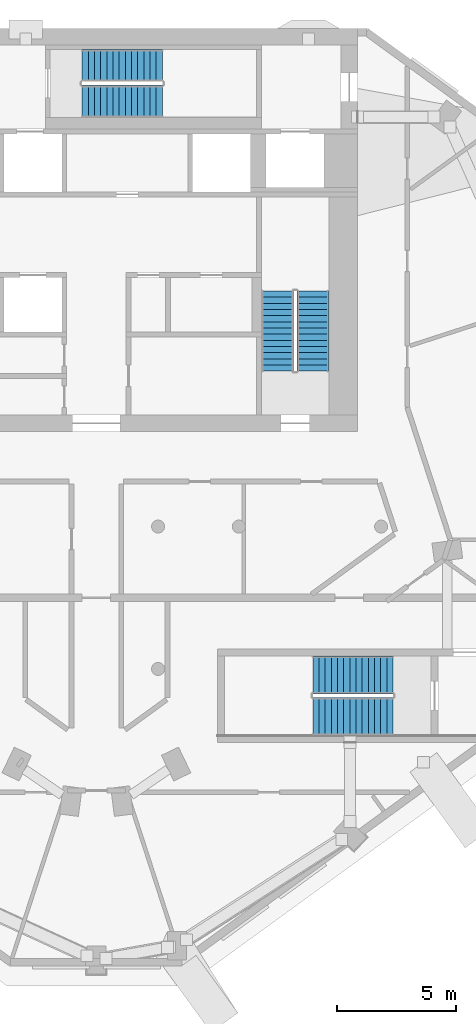
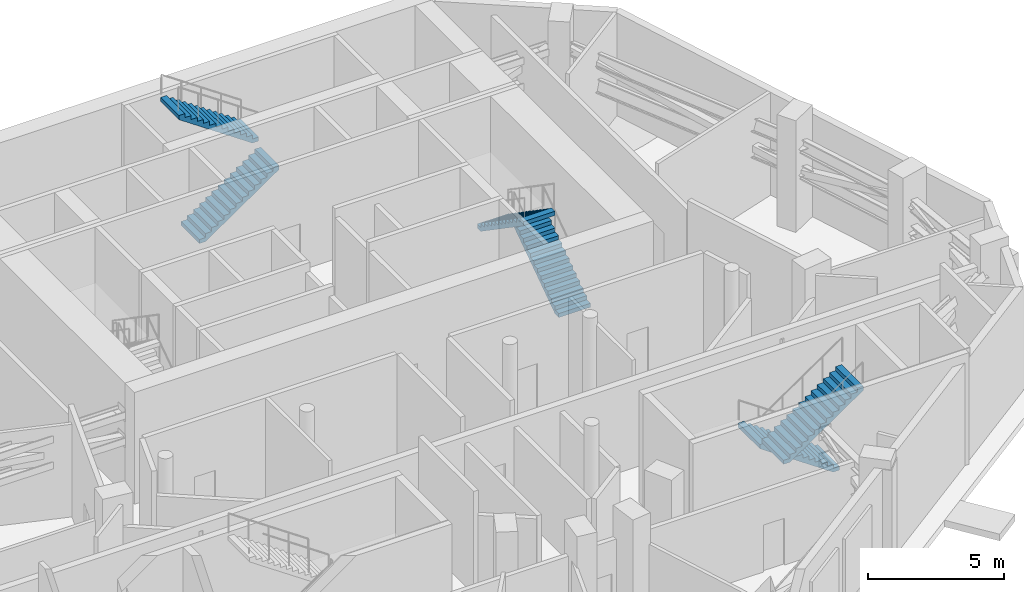
# One storey, part 10 of 15: 6 stair flights, 3 elements without a shape of their own.
"""IFC4 building model written with IfcOpenShell, lengths in metres."""

from ifc_helpers import new_model, si_unit, direction, frame, origin, place, context, subcontext, project, spatial, polyline, outline, extrude, material, layer, layer_set, type_object, element, aggregate, save


model = new_model("IFC4")

# Units and contexts
model_context = context("Model", 3, precision=1e-05, world=origin(), true_north=direction((0.0, 1.0)))
body_context = subcontext(model_context, "Body", "Model", "MODEL_VIEW")
ifc_project = project(units=[si_unit("LENGTHUNIT", "METRE"), si_unit("AREAUNIT", "SQUARE_METRE"), si_unit("VOLUMEUNIT", "CUBIC_METRE"), si_unit("PLANEANGLEUNIT", "RADIAN"), si_unit("MASSUNIT", "GRAM", prefix="KILO")], contexts=[model_context])

# Site, building, storey
site_placement = place(None, origin())
site = spatial("IfcSite", under=ifc_project, at=site_placement, CompositionType="ELEMENT")
building_placement = place(site_placement, origin())
building = spatial("IfcBuilding", under=site, at=building_placement, Name="White Candle Pilgrim Tower", CompositionType="ELEMENT")
storey_placement = place(building_placement, frame((0.0, 0.0, 295.10009765625)))
storey = spatial("IfcBuildingStorey", under=building, at=storey_placement, Name="L70", CompositionType="ELEMENT", Elevation=295.10009765625)

# Stair, stair flights
ifc_material = material(Name="Concrete C40/50", Category="concrete")
stair_type_1 = type_object("IfcStairType", Name="Exit stair 2 flight width 1350 mm", PredefinedType="HALF_TURN_STAIR", material=ifc_material)
stair_1_placement = place(storey_placement, origin())
stair_1 = element("IfcStair", 1, at=stair_1_placement, inside=storey, type_object=stair_type_1, Name="L70 stair 2", PredefinedType="NOTDEFINED")
ifc_layer = layer(ifc_material, 0.14990234375)
ifc_layer_set = layer_set([ifc_layer], Name="Stair flight Concrete C40/50")
stair_flight_type = type_object("IfcStairFlightType", Name="Stair flight Concrete C40/50", PredefinedType="STRAIGHT", material=ifc_layer_set)
stair_flight_1_placement = place(storey_placement, frame((79.125, 73.550048828125, 0.0), z_axis=(0.0, 0.0, 1.0), x_axis=(0.0, 1.0, 0.0)))
stair_flight_1 = element("IfcStairFlight", 2, at=stair_flight_1_placement, type_object=stair_flight_type, Name="ST2 flight 1", NumberOfRisers=14, NumberOfTreads=13, PredefinedType="NOTDEFINED", RiserHeight=0.178571429, TreadLength=0.26, context=body_context, shape_type="SweptSolid", body=[
    extrude(outline(polyline([(0.0, 0.0), (0.0, 0.178466796875), (0.260009765625, 0.178466796875), (0.260009765625, 0.357177734375), (0.52001953125, 0.357177734375), (0.52001953125, 0.53564453125), (0.780029296875, 0.53564453125), (0.780029296875, 0.71435546875), (1.0400390625, 0.71435546875), (1.0400390625, 0.892822265625), (1.300048828125, 0.892822265625), (1.300048828125, 1.071533203125), (1.56005859375, 1.071533203125), (1.56005859375, 1.25), (1.820068359375, 1.25), (1.820068359375, 1.428466796875), (2.080078125, 1.428466796875), (2.080078125, 1.607177734375), (2.340087890625, 1.607177734375), (2.340087890625, 1.78564453125), (2.60009765625, 1.78564453125), (2.60009765625, 1.96435546875), (2.860107421875, 1.96435546875), (2.860107421875, 2.142822265625), (3.1201171875, 2.142822265625), (3.1201171875, 2.321533203125), (3.3798828125, 2.321533203125), (3.3798828125, 2.5), (3.3798828125, 2.1396484375), (0.264892578125, 0.0), (0.0, 0.0)])), frame((0.0, 0.675048828125, 0.0), z_axis=(0.0, -1.0, 0.0), x_axis=(1.0, 0.0, 0.0)), (0.0, 0.0, 1.0), 1.35009765625),
])
stair_flight_2_placement = place(storey_placement, frame((77.625, 76.929931640625, 2.5), z_axis=(0.0, 0.0, 1.0), x_axis=(0.0, -1.0, 0.0)))
stair_flight_2 = element("IfcStairFlight", 3, at=stair_flight_2_placement, type_object=stair_flight_type, Name="ST2 flight 2", NumberOfRisers=14, NumberOfTreads=13, PredefinedType="NOTDEFINED", RiserHeight=0.178571429, TreadLength=0.26, context=body_context, shape_type="SweptSolid", body=[
    extrude(outline(polyline([(0.0, 0.0), (0.0, 0.178466796875), (0.260009765625, 0.178466796875), (0.260009765625, 0.357177734375), (0.52001953125, 0.357177734375), (0.52001953125, 0.53564453125), (0.780029296875, 0.53564453125), (0.780029296875, 0.71435546875), (1.0400390625, 0.71435546875), (1.0400390625, 0.892822265625), (1.300048828125, 0.892822265625), (1.300048828125, 1.071533203125), (1.56005859375, 1.071533203125), (1.56005859375, 1.25), (1.820068359375, 1.25), (1.820068359375, 1.428466796875), (2.080078125, 1.428466796875), (2.080078125, 1.607177734375), (2.340087890625, 1.607177734375), (2.340087890625, 1.78564453125), (2.60009765625, 1.78564453125), (2.60009765625, 1.96435546875), (2.860107421875, 1.96435546875), (2.860107421875, 2.142822265625), (3.1201171875, 2.142822265625), (3.1201171875, 2.321533203125), (3.3798828125, 2.321533203125), (3.3798828125, 2.5), (3.3798828125, 2.1396484375), (0.264892578125, 0.0), (0.0, 0.0)])), frame((0.0, 0.675048828125, 0.0), z_axis=(0.0, -1.0, 0.0), x_axis=(1.0, 0.0, 0.0)), (0.0, 0.0, 1.0), 1.35009765625),
])
aggregate(stair_1, [stair_flight_1, stair_flight_2])

stair_type_2 = type_object("IfcStairType", Name="Exit stair 3 flight width 1350 mm", PredefinedType="HALF_TURN_STAIR", material=ifc_material)
stair_2_placement = place(storey_placement, origin())
stair_2 = element("IfcStair", 4, at=stair_2_placement, inside=storey, type_object=stair_type_2, Name="L70 stair 3", PredefinedType="NOTDEFINED")
stair_flight_3_placement = place(storey_placement, frame((69.39990234375, 84.925048828125, 0.0), z_axis=(0.0, 0.0, 1.0), x_axis=(1.0, 0.0, 0.0)))
stair_flight_3 = element("IfcStairFlight", 5, at=stair_flight_3_placement, type_object=stair_flight_type, Name="ST3 flight 1", NumberOfRisers=14, NumberOfTreads=13, PredefinedType="NOTDEFINED", RiserHeight=0.178571429, TreadLength=0.26, context=body_context, shape_type="SweptSolid", body=[
    extrude(outline(polyline([(0.0, 0.0), (0.0, 0.178466796875), (0.260009765625, 0.178466796875), (0.260009765625, 0.357177734375), (0.52001953125, 0.357177734375), (0.52001953125, 0.53564453125), (0.780029296875, 0.53564453125), (0.780029296875, 0.71435546875), (1.0400390625, 0.71435546875), (1.0400390625, 0.892822265625), (1.300048828125, 0.892822265625), (1.300048828125, 1.071533203125), (1.56005859375, 1.071533203125), (1.56005859375, 1.25), (1.820068359375, 1.25), (1.820068359375, 1.428466796875), (2.080078125, 1.428466796875), (2.080078125, 1.607177734375), (2.340087890625, 1.607177734375), (2.340087890625, 1.78564453125), (2.60009765625, 1.78564453125), (2.60009765625, 1.96435546875), (2.860107421875, 1.96435546875), (2.860107421875, 2.142822265625), (3.1201171875, 2.142822265625), (3.1201171875, 2.321533203125), (3.3798828125, 2.321533203125), (3.3798828125, 2.5), (3.3798828125, 2.1396484375), (0.264892578125, 0.0), (0.0, 0.0)])), frame((0.0, 0.675048828125, 0.0), z_axis=(0.0, -1.0, 0.0), x_axis=(1.0, 0.0, 0.0)), (0.0, 0.0, 1.0), 1.35009765625),
])
stair_flight_4_placement = place(storey_placement, frame((72.780029296875, 86.425048828125, 2.5), z_axis=(0.0, 0.0, 1.0), x_axis=(-1.0, 0.0, 0.0)))
stair_flight_4 = element("IfcStairFlight", 6, at=stair_flight_4_placement, type_object=stair_flight_type, Name="ST3 flight 2", NumberOfRisers=14, NumberOfTreads=13, PredefinedType="NOTDEFINED", RiserHeight=0.178571429, TreadLength=0.26, context=body_context, shape_type="SweptSolid", body=[
    extrude(outline(polyline([(0.0, 0.0), (0.0, 0.178466796875), (0.260009765625, 0.178466796875), (0.260009765625, 0.357177734375), (0.52001953125, 0.357177734375), (0.52001953125, 0.53564453125), (0.780029296875, 0.53564453125), (0.780029296875, 0.71435546875), (1.0400390625, 0.71435546875), (1.0400390625, 0.892822265625), (1.300048828125, 0.892822265625), (1.300048828125, 1.071533203125), (1.56005859375, 1.071533203125), (1.56005859375, 1.25), (1.820068359375, 1.25), (1.820068359375, 1.428466796875), (2.080078125, 1.428466796875), (2.080078125, 1.607177734375), (2.340087890625, 1.607177734375), (2.340087890625, 1.78564453125), (2.60009765625, 1.78564453125), (2.60009765625, 1.96435546875), (2.860107421875, 1.96435546875), (2.860107421875, 2.142822265625), (3.1201171875, 2.142822265625), (3.1201171875, 2.321533203125), (3.3798828125, 2.321533203125), (3.3798828125, 2.5), (3.3798828125, 2.1396484375), (0.264892578125, 0.0), (0.0, 0.0)])), frame((0.0, 0.675048828125, 0.0), z_axis=(0.0, -1.0, 0.0), x_axis=(1.0, 0.0, 0.0)), (0.0, 0.0, 1.0), 1.35009765625),
])
aggregate(stair_2, [stair_flight_3, stair_flight_4])

stair_type_3 = type_object("IfcStairType", Name="Exit stair 4 flight width 1600 mm", PredefinedType="HALF_TURN_STAIR", material=ifc_material)
stair_3_placement = place(storey_placement, origin())
stair_3 = element("IfcStair", 7, at=stair_3_placement, inside=storey, type_object=stair_type_3, Name="L70 stair 4", PredefinedType="NOTDEFINED")
stair_flight_5_placement = place(storey_placement, frame((82.5, 60.75, 0.0), z_axis=(0.0, 0.0, 1.0), x_axis=(-1.0, 0.0, 0.0)))
stair_flight_5 = element("IfcStairFlight", 8, at=stair_flight_5_placement, type_object=stair_flight_type, Name="ST4 flight 1", NumberOfRisers=14, NumberOfTreads=13, PredefinedType="NOTDEFINED", RiserHeight=0.178571429, TreadLength=0.26, context=body_context, shape_type="SweptSolid", body=[
    extrude(outline(polyline([(0.0, 0.0), (0.0, 0.178466796875), (0.260009765625, 0.178466796875), (0.260009765625, 0.357177734375), (0.52001953125, 0.357177734375), (0.52001953125, 0.53564453125), (0.780029296875, 0.53564453125), (0.780029296875, 0.71435546875), (1.0400390625, 0.71435546875), (1.0400390625, 0.892822265625), (1.300048828125, 0.892822265625), (1.300048828125, 1.071533203125), (1.56005859375, 1.071533203125), (1.56005859375, 1.25), (1.820068359375, 1.25), (1.820068359375, 1.428466796875), (2.080078125, 1.428466796875), (2.080078125, 1.607177734375), (2.340087890625, 1.607177734375), (2.340087890625, 1.78564453125), (2.60009765625, 1.78564453125), (2.60009765625, 1.96435546875), (2.860107421875, 1.96435546875), (2.860107421875, 2.142822265625), (3.1201171875, 2.142822265625), (3.1201171875, 2.321533203125), (3.3798828125, 2.321533203125), (3.3798828125, 2.5), (3.3798828125, 2.1396484375), (0.264892578125, 0.0), (0.0, 0.0)])), frame((0.0, 0.800048828125, 0.0), z_axis=(0.0, -1.0, 0.0), x_axis=(1.0, 0.0, 0.0)), (0.0, 0.0, 1.0), 1.60009765625),
])
stair_flight_6_placement = place(storey_placement, frame((79.1201171875, 59.0, 2.5), z_axis=(0.0, 0.0, 1.0), x_axis=(1.0, 0.0, 0.0)))
stair_flight_6 = element("IfcStairFlight", 9, at=stair_flight_6_placement, type_object=stair_flight_type, Name="ST4 flight 2", NumberOfRisers=14, NumberOfTreads=13, PredefinedType="NOTDEFINED", RiserHeight=0.178571429, TreadLength=0.26, context=body_context, shape_type="SweptSolid", body=[
    extrude(outline(polyline([(0.0, 0.0), (0.0, 0.178466796875), (0.260009765625, 0.178466796875), (0.260009765625, 0.357177734375), (0.52001953125, 0.357177734375), (0.52001953125, 0.53564453125), (0.780029296875, 0.53564453125), (0.780029296875, 0.71435546875), (1.0400390625, 0.71435546875), (1.0400390625, 0.892822265625), (1.300048828125, 0.892822265625), (1.300048828125, 1.071533203125), (1.56005859375, 1.071533203125), (1.56005859375, 1.25), (1.820068359375, 1.25), (1.820068359375, 1.428466796875), (2.080078125, 1.428466796875), (2.080078125, 1.607177734375), (2.340087890625, 1.607177734375), (2.340087890625, 1.78564453125), (2.60009765625, 1.78564453125), (2.60009765625, 1.96435546875), (2.860107421875, 1.96435546875), (2.860107421875, 2.142822265625), (3.1201171875, 2.142822265625), (3.1201171875, 2.321533203125), (3.3798828125, 2.321533203125), (3.3798828125, 2.5), (3.3798828125, 2.1396484375), (0.264892578125, 0.0), (0.0, 0.0)])), frame((0.0, 0.800048828125, 0.0), z_axis=(0.0, -1.0, 0.0), x_axis=(1.0, 0.0, 0.0)), (0.0, 0.0, 1.0), 1.60009765625),
])
aggregate(stair_3, [stair_flight_5, stair_flight_6])

save(model, "model.ifc")
